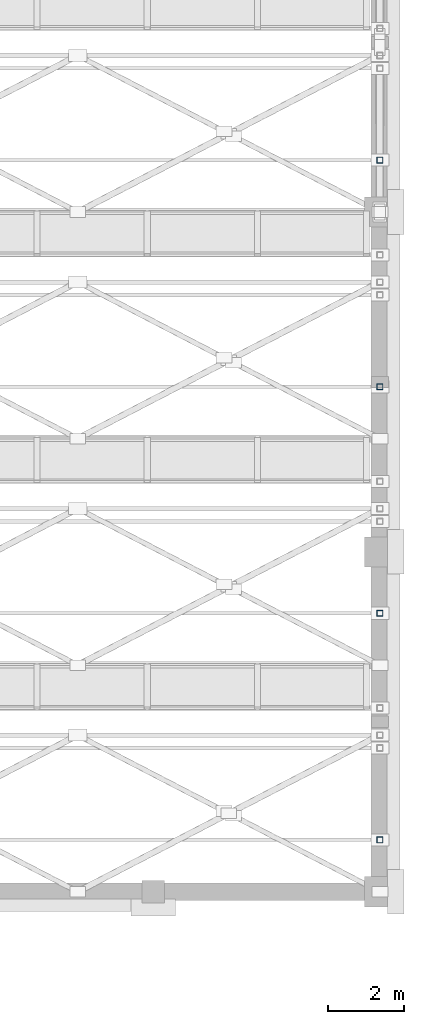
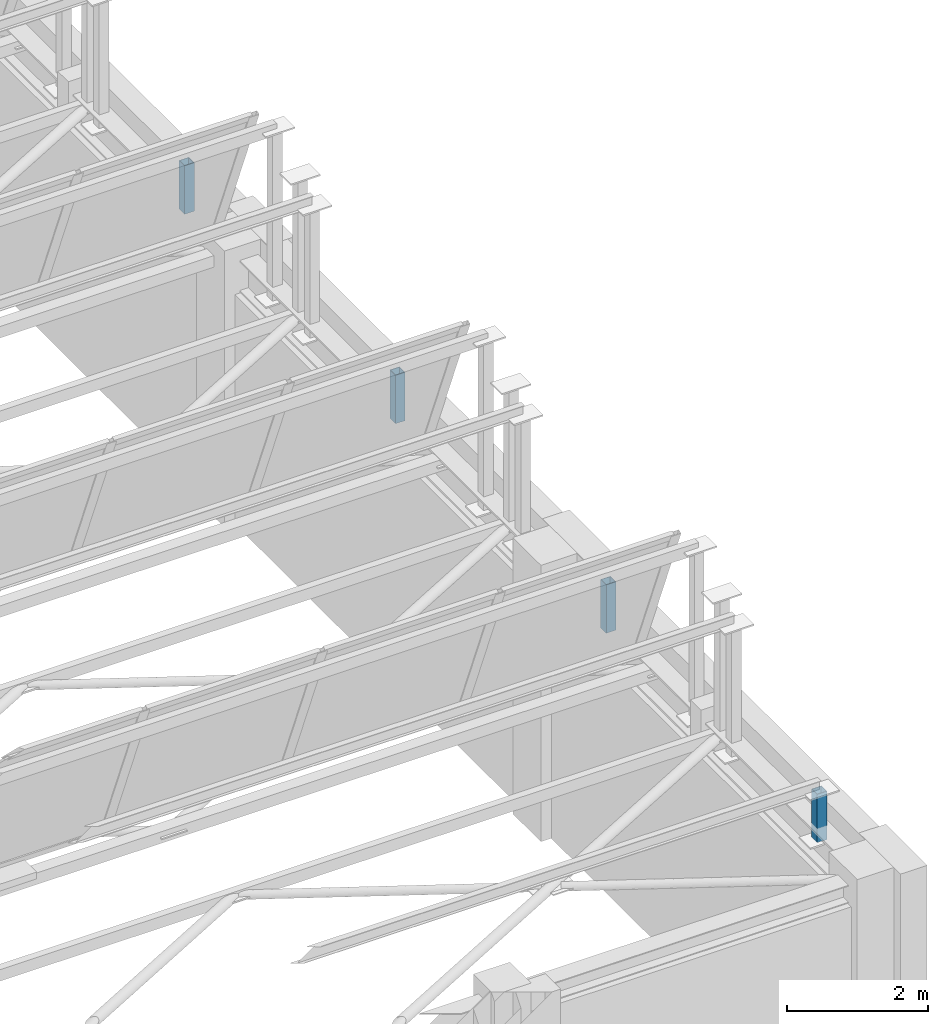
# One storey, part 64 of 98: 4 members.
"""IFC4 building model written with IfcOpenShell, lengths in metres."""

from ifc_helpers import new_model, si_unit, direction, frame, origin, origin_2d, place, context, subcontext, project, spatial, hollow_rectangle, extrude, material, material_profile, profile_set, type_object, element, save


model = new_model("IFC4")

# Units and contexts
model_context = context("Model", 3, precision=1e-05, world=origin(), true_north=direction((0.0, 1.0)))
body_context = subcontext(model_context, "Body", "Model", "MODEL_VIEW")
ifc_project = project(units=[si_unit("LENGTHUNIT", "METRE"), si_unit("AREAUNIT", "SQUARE_METRE"), si_unit("VOLUMEUNIT", "CUBIC_METRE"), si_unit("PLANEANGLEUNIT", "RADIAN"), si_unit("MASSUNIT", "GRAM", prefix="KILO")], contexts=[model_context])

# Site, building, storey
site_placement = place(None, origin())
site = spatial("IfcSite", under=ifc_project, at=site_placement, CompositionType="ELEMENT")
building_placement = place(site_placement, origin())
building = spatial("IfcBuilding", under=site, at=building_placement, Name="Lykobir Media Centre", CompositionType="ELEMENT")
storey_placement = place(building_placement, frame((0.0, 0.0, 10.199951171875)))
storey = spatial("IfcBuildingStorey", under=building, at=storey_placement, Name="L02", CompositionType="ELEMENT", Elevation=10.199951171875)

# Members
ifc_material = material(Name="Steel S355", Category="steel")
ifc_material_profile = material_profile(ifc_material, hollow_rectangle(XDim=0.159912109375, YDim=0.159912109375, WallThickness=0.008056640625, at=origin_2d()), Name="SHS 160x160x8")
ifc_profile_set = profile_set([ifc_material_profile], Name="Steel S355")
member_type = type_object("IfcMemberType", Name="BR-SHS160-E", PredefinedType="BRACE", material=ifc_profile_set)
for number, where, z_axis, x_axis, name in (
    (1, (168.0, 73.373291015625, 4.300048828125), (0.0, 0.0, 1.0), (1.0, 0.0, 0.0), "Diagonal brace MEM2-L02-1680-0734-0145-1680-0734-0298"),
    (2, (168.0, 79.373291015625, 4.300048828125), (0.0, 0.0, 1.0), (1.0, 0.0, 0.0), "Diagonal brace MEM2-L02-1680-0794-0145-1680-0794-0318"),
    (3, (168.0, 85.373291015625, 4.300048828125), (0.0, 0.0, 1.0), (1.0, 0.0, 0.0), "Diagonal brace MEM2-L02-1680-0854-0145-1680-0854-0338"),
    (4, (168.0, 91.373291015625, 4.300048828125), (0.0, 0.0, 1.0), (1.0, 0.0, 0.0), "Diagonal brace MEM2-L02-1680-0914-0145-1680-0914-0358"),
):
    element("IfcMember", number, at=place(storey_placement, frame(where, z_axis=z_axis, x_axis=x_axis)), inside=storey, type_object=member_type, Name=name, PredefinedType="BRACE", context=body_context, shape_type="SweptSolid", body=[
        extrude(hollow_rectangle(XDim=0.159912109375, YDim=0.159912109375, WallThickness=0.008056640625, at=origin_2d()), origin(), (0.0, 0.0, 1.0), 0.84033203125),
    ])

save(model, "model.ifc")
